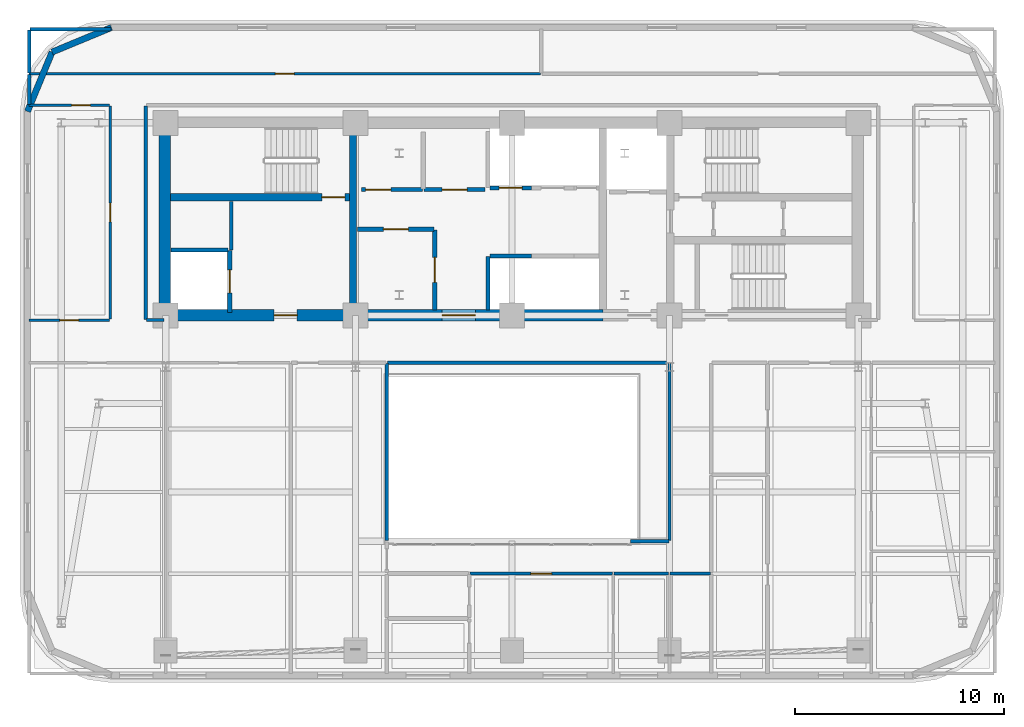
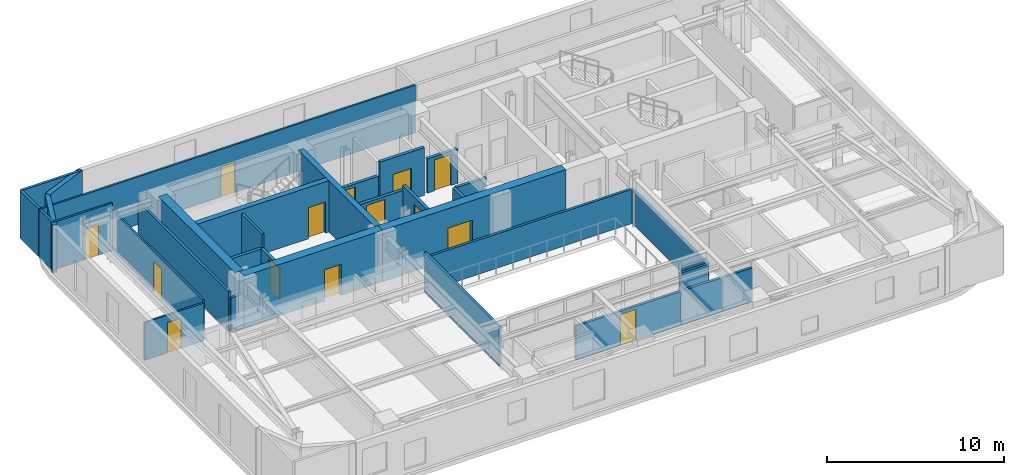
# One storey, part 6 of 12: 33 walls, 14 doors, 14 openings.
"""IFC4 building model written with IfcOpenShell, lengths in metres."""

from ifc_helpers import new_model, si_unit, direction, frame, frame_2d, origin, place, context, subcontext, project, spatial, rectangle, extrude, material, layer, layer_set, type_object, element, fill, save


model = new_model("IFC4")

# Units and contexts
model_context = context("Model", 3, precision=1e-05, world=origin(), true_north=direction((0.0, 1.0)))
body_context = subcontext(model_context, "Body", "Model", "MODEL_VIEW")
ifc_project = project(units=[si_unit("LENGTHUNIT", "METRE"), si_unit("AREAUNIT", "SQUARE_METRE"), si_unit("VOLUMEUNIT", "CUBIC_METRE"), si_unit("PLANEANGLEUNIT", "RADIAN"), si_unit("MASSUNIT", "GRAM", prefix="KILO")], contexts=[model_context])

# Site, building, storey
site_placement = place(None, origin())
site = spatial("IfcSite", under=ifc_project, at=site_placement, CompositionType="ELEMENT")
building_placement = place(site_placement, origin())
building = spatial("IfcBuilding", under=site, at=building_placement, Name="Zarnavel Station Tower", CompositionType="ELEMENT")
storey_placement = place(building_placement, frame((0.0, 0.0, 159.0)))
storey = spatial("IfcBuildingStorey", under=building, at=storey_placement, Name="L43", CompositionType="ELEMENT", Elevation=159.0)

# Wall
ifc_material_1 = material(Name="Concrete C50/60", Category="concrete")
ifc_layer_1 = layer(ifc_material_1, 0.35009765625)
ifc_layer_set_1 = layer_set([ifc_layer_1], Name="CW_350")
wall_type_1 = type_object("IfcWallType", Name="CW_350", PredefinedType="SHEAR", material=ifc_layer_set_1)
wall_1_placement = place(storey_placement, frame((21.179931640625, 28.094970703125, 0.0), z_axis=(0.0, 0.0, 1.0), x_axis=(0.0, 1.0, 0.0)))
element("IfcWall", 1, at=wall_1_placement, inside=storey, type_object=wall_type_1, Name="L43 Rear Core Shear Wall DIV-W", PredefinedType="SHEAR", context=body_context, shape_type="SweptSolid", body=[
    extrude(rectangle(XDim=8.679931640625, YDim=0.35009765625, at=frame_2d((4.33984375, 0.0))), origin(), (0.0, 0.0, 1.0), 3.550048828125),
])

# Wall, opening, door
wall_2_placement = place(storey_placement, frame((21.0048828125, 33.47998046875, 0.0), z_axis=(0.0, 0.0, 1.0), x_axis=(-1.0, 0.0, 0.0)))
wall_2 = element("IfcWall", 2, at=wall_2_placement, inside=storey, type_object=wall_type_1, Name="L43 Rear Core Shear Wall DIV-H1", PredefinedType="SHEAR", context=body_context, shape_type="SweptSolid", body=[
    extrude(rectangle(XDim=8.579833984375, YDim=0.35009765625, at=frame_2d((4.2900390625, 0.0))), origin(), (0.0, 0.0, 1.0), 3.550048828125),
])
opening_1_placement = place(wall_2_placement, frame((0.219970703125, 0.0, 0.0)))
opening_1 = element("IfcOpeningElement", 3, at=opening_1_placement, cuts=wall_2, Name="Opening FD01", PredefinedType="OPENING", context=body_context, shape_type="SweptSolid", body=[
    extrude(rectangle(XDim=1.10009765625, YDim=2.14990234375, at=frame_2d((0.550048828125, 1.074951171875))), frame((0.0, 0.18505859375, 0.0), z_axis=(0.0, -1.0, 0.0), x_axis=(1.0, 0.0, 0.0)), (0.0, 0.0, 1.0), 0.3701171875),
])
ifc_material_2 = material(Name="Painted Galvanised Steel and Hardwood Leaf", Category="steel")
door_type_1 = type_object("IfcDoorType", Name="ID_STAIR_1100", OperationType="NOTDEFINED", PredefinedType="DOOR", material=ifc_material_2)
door_1_placement = place(opening_1_placement, origin())
door_1 = element("IfcDoor", 4, at=door_1_placement, inside=storey, type_object=door_type_1, Name="L43 Stair ST1 Lobby Fire Door", OperationType="SINGLE_SWING_LEFT", OverallHeight=2.14990234375, OverallWidth=1.10009765625, PredefinedType="DOOR", context=body_context, shape_type="SweptSolid", body=[
    extrude(rectangle(XDim=1.10009765625, YDim=2.14990234375, at=frame_2d((0.550048828125, 1.074951171875))), frame((0.0, 0.02490234375, 0.0), z_axis=(0.0, -1.0, 0.0), x_axis=(1.0, 0.0, 0.0)), (0.0, 0.0, 1.0), 0.050048828125),
])
fill(opening_1, door_1)

ifc_material_3 = material(Name="Concrete C50/60", Category="concrete")
ifc_layer_2 = layer(ifc_material_3, 0.550048828125)
ifc_layer_set_2 = layer_set([ifc_layer_2], Name="CW_550")
wall_type_2 = type_object("IfcWallType", Name="CW_550", PredefinedType="SHEAR", material=ifc_layer_set_2)
wall_3_placement = place(storey_placement, frame((21.179931640625, 27.820068359375, 0.0), z_axis=(0.0, 0.0, 1.0), x_axis=(-1.0, 0.0, 0.0)))
wall_3 = element("IfcWall", 5, at=wall_3_placement, inside=storey, type_object=wall_type_2, Name="L43 Rear Core Shear Wall S-W", PredefinedType="SHEAR", context=body_context, shape_type="SweptSolid", body=[
    extrude(rectangle(XDim=9.030029296875, YDim=0.550048828125, at=frame_2d((4.51513671875, 0.0))), origin(), (0.0, 0.0, 1.0), 3.550048828125),
])
opening_2_placement = place(wall_3_placement, frame((2.679931640625, 0.0, 0.0)))
opening_2 = element("IfcOpeningElement", 6, at=opening_2_placement, cuts=wall_3, Name="Opening FD01", PredefinedType="OPENING", context=body_context, shape_type="SweptSolid", body=[
    extrude(rectangle(XDim=1.10009765625, YDim=2.14990234375, at=frame_2d((0.550048828125, 1.074951171875))), frame((0.0, 0.284912109375, 0.0), z_axis=(0.0, -1.0, 0.0), x_axis=(1.0, 0.0, 0.0)), (0.0, 0.0, 1.0), 0.570068359375),
])
door_2_placement = place(opening_2_placement, origin())
door_2 = element("IfcDoor", 7, at=door_2_placement, inside=storey, type_object=door_type_1, Name="L43 West Firefighting Lobby Door", OperationType="SINGLE_SWING_RIGHT", OverallHeight=2.14990234375, OverallWidth=1.10009765625, PredefinedType="DOOR", context=body_context, shape_type="SweptSolid", body=[
    extrude(rectangle(XDim=1.10009765625, YDim=2.14990234375, at=frame_2d((0.550048828125, 1.074951171875))), frame((0.0, 0.02490234375, 0.0), z_axis=(0.0, -1.0, 0.0), x_axis=(1.0, 0.0, 0.0)), (0.0, 0.0, 1.0), 0.050048828125),
])
fill(opening_2, door_2)

wall_4_placement = place(storey_placement, frame((33.14990234375, 27.820068359375, 0.0), z_axis=(0.0, 0.0, 1.0), x_axis=(-1.0, 0.0, 0.0)))
wall_4 = element("IfcWall", 8, at=wall_4_placement, inside=storey, type_object=wall_type_2, Name="L43 Rear Core Shear Wall S-M", PredefinedType="SHEAR", context=body_context, shape_type="SweptSolid", body=[
    extrude(rectangle(XDim=11.969970703125, YDim=0.550048828125, at=frame_2d((5.98486328125, 0.0))), origin(), (0.0, 0.0, 1.0), 3.550048828125),
])
opening_3_placement = place(wall_4_placement, frame((6.10009765625, 0.0, 0.0)))
opening_3 = element("IfcOpeningElement", 9, at=opening_3_placement, cuts=wall_4, Name="Opening ID03", PredefinedType="OPENING", context=body_context, shape_type="SweptSolid", body=[
    extrude(rectangle(XDim=1.60009765625, YDim=2.199951171875, at=frame_2d((0.800048828125, 1.10009765625))), frame((0.0, 0.284912109375, 0.0), z_axis=(0.0, -1.0, 0.0), x_axis=(1.0, 0.0, 0.0)), (0.0, 0.0, 1.0), 0.570068359375),
])
ifc_material_4 = material(Name="Painted Galvanised Steel and Hardwood Leaf", Category="steel")
door_type_2 = type_object("IfcDoorType", Name="ID_PUBLIC_1600", OperationType="DOUBLE_DOOR_SINGLE_SWING", PredefinedType="DOOR", material=ifc_material_4)
door_3_placement = place(opening_3_placement, origin())
door_3 = element("IfcDoor", 10, at=door_3_placement, inside=storey, type_object=door_type_2, Name="L43 Passenger Lift Lobby Double Door", OperationType="SINGLE_SWING_LEFT", OverallHeight=2.199951171875, OverallWidth=1.60009765625, PredefinedType="DOOR", context=body_context, shape_type="SweptSolid", body=[
    extrude(rectangle(XDim=1.60009765625, YDim=2.199951171875, at=frame_2d((0.800048828125, 1.10009765625))), frame((0.0, 0.02490234375, 0.0), z_axis=(0.0, -1.0, 0.0), x_axis=(1.0, 0.0, 0.0)), (0.0, 0.0, 1.0), 0.050048828125),
])
fill(opening_3, door_3)

# Walls
wall_5_placement = place(storey_placement, frame((12.14990234375, 28.094970703125, 0.0), z_axis=(0.0, 0.0, 1.0), x_axis=(0.0, 1.0, 0.0)))
element("IfcWall", 11, at=wall_5_placement, inside=storey, type_object=wall_type_2, Name="L43 Rear Core Shear Wall W", PredefinedType="SHEAR", context=body_context, shape_type="SweptSolid", body=[
    extrude(rectangle(XDim=8.679931640625, YDim=0.550048828125, at=frame_2d((4.33984375, 0.0))), origin(), (0.0, 0.0, 1.0), 3.550048828125),
])
ifc_material_5 = material(Name="Precast concrete C45/55 (Dark Basalt Finish)", Category="masonry")
ifc_layer_3 = layer(ifc_material_5, 0.300048828125)
ifc_layer_set_3 = layer_set([ifc_layer_3], Name="EW_BASALT_300")
wall_type_3 = type_object("IfcWallType", Name="EW_BASALT_300", PredefinedType="SOLIDWALL", material=ifc_layer_set_3)
wall_6_placement = place(storey_placement, frame((6.75732421875, 40.442626953125, 0.0), z_axis=(0.0, 0.0, 1.0), x_axis=(0.923882414032, 0.382676475685, 0.0)))
element("IfcWall", 12, at=wall_6_placement, inside=storey, type_object=wall_type_3, Name="L43 Exterior Basalt Masonry Frame Wall 07", PredefinedType="SOLIDWALL", context=body_context, shape_type="SweptSolid", body=[
    extrude(rectangle(XDim=3.076904296875, YDim=0.300048828125, at=frame_2d((1.53857421875, 0.0))), origin(), (0.0, 0.0, 1.0), 3.2900390625),
])
wall_7_placement = place(storey_placement, frame((5.580078125, 37.60009765625, 0.0), z_axis=(0.0, 0.0, 1.0), x_axis=(0.382636798336, 0.92389884758, 0.0)))
element("IfcWall", 13, at=wall_7_placement, inside=storey, type_object=wall_type_3, Name="L43 Exterior Basalt Masonry Frame Wall 08", PredefinedType="SOLIDWALL", context=body_context, shape_type="SweptSolid", body=[
    extrude(rectangle(XDim=3.07666015625, YDim=0.300048828125, at=frame_2d((1.538330078125, 0.0))), origin(), (0.0, 0.0, 1.0), 3.2900390625),
])

# Wall, opening, door
ifc_material_6 = material(Name="Gypsum Twin-Stud Acoustic Fire Partition", Category="concrete")
ifc_layer_4 = layer(ifc_material_6, 0.159912109375)
ifc_layer_set_4 = layer_set([ifc_layer_4], Name="PT_DEMISE_160")
wall_type_4 = type_object("IfcWallType", Name="PT_DEMISE_160", PredefinedType="PARTITIONING", material=ifc_layer_set_4)
wall_8_placement = place(storey_placement, frame((26.7900390625, 15.449951171875, 0.0), z_axis=(0.0, 0.0, 1.0), x_axis=(1.0, 0.0, 0.0)))
wall_8 = element("IfcWall", 14, at=wall_8_placement, inside=storey, type_object=wall_type_4, Name="L43 Partition COR-AS-US1LV", PredefinedType="PARTITIONING", context=body_context, shape_type="SweptSolid", body=[
    extrude(rectangle(XDim=6.820068359375, YDim=0.159912109375, at=frame_2d((3.41015625, 0.0))), origin(), (0.0, 0.0, 1.0), 2.360107421875),
])
opening_4_placement = place(wall_8_placement, frame((2.909912109375, 0.0, 0.0)))
opening_4 = element("IfcOpeningElement", 15, at=opening_4_placement, cuts=wall_8, Name="Opening FD02", PredefinedType="OPENING", context=body_context, shape_type="SweptSolid", body=[
    extrude(rectangle(XDim=1.0, YDim=2.14990234375, at=frame_2d((0.5, 1.074951171875))), frame((0.0, 0.08984375, 0.0), z_axis=(0.0, -1.0, 0.0), x_axis=(1.0, 0.0, 0.0)), (0.0, 0.0, 1.0), 0.179931640625),
])
ifc_material_7 = material(Name="Painted Galvanised Steel and Hardwood Leaf", Category="steel")
door_type_3 = type_object("IfcDoorType", Name="ID_ENTRY_1000", OperationType="NOTDEFINED", PredefinedType="DOOR", material=ifc_material_7)
door_4_placement = place(opening_4_placement, origin())
door_4 = element("IfcDoor", 16, at=door_4_placement, inside=storey, type_object=door_type_3, Name="L43 Door COR-AS-US1LV", OperationType="SINGLE_SWING_LEFT", OverallHeight=2.14990234375, OverallWidth=1.0, PredefinedType="DOOR", context=body_context, shape_type="SweptSolid", body=[
    extrude(rectangle(XDim=1.0, YDim=2.14990234375, at=frame_2d((0.5, 1.074951171875))), frame((0.0, 0.02490234375, 0.0), z_axis=(0.0, -1.0, 0.0), x_axis=(1.0, 0.0, 0.0)), (0.0, 0.0, 1.0), 0.050048828125),
])
fill(opening_4, door_4)

# Walls
wall_9_placement = place(storey_placement, frame((33.68994140625, 15.449951171875, 0.0), z_axis=(0.0, 0.0, 1.0), x_axis=(1.0, 0.0, 0.0)))
element("IfcWall", 17, at=wall_9_placement, inside=storey, type_object=wall_type_4, Name="L43 Partition COR-AS-US1B1", PredefinedType="PARTITIONING", context=body_context, shape_type="SweptSolid", body=[
    extrude(rectangle(XDim=2.6201171875, YDim=0.159912109375, at=frame_2d((1.31005859375, 0.0))), origin(), (0.0, 0.0, 1.0), 2.360107421875),
])
wall_10_placement = place(storey_placement, frame((15.35009765625, 30.9599609375, 0.0), z_axis=(0.0, 0.0, 1.0), x_axis=(0.0, 1.0, 0.0)))
element("IfcWall", 18, at=wall_10_placement, inside=storey, type_object=wall_type_4, Name="L43 Enclosure Wall FFL1", PredefinedType="PARTITIONING", context=body_context, shape_type="SweptSolid", body=[
    extrude(rectangle(XDim=2.31005859375, YDim=0.159912109375, at=frame_2d((1.155029296875, 0.0))), origin(), (0.0, 0.0, 1.0), 3.2900390625),
])
wall_11_placement = place(storey_placement, frame((22.830078125, 25.550048828125, 0.0), z_axis=(0.0, 0.0, 1.0), x_axis=(1.0, 0.0, 0.0)))
element("IfcWall", 19, at=wall_11_placement, inside=storey, type_object=wall_type_4, Name="L43 Enclosure Wall COR-S", PredefinedType="PARTITIONING", context=body_context, shape_type="SweptSolid", body=[
    extrude(rectangle(XDim=13.489990234375, YDim=0.159912109375, at=frame_2d((6.7451171875, 0.0))), origin(), (0.0, 0.0, 1.0), 2.360107421875),
])
wall_12_placement = place(storey_placement, frame((11.280029296875, 27.60009765625, 0.0), z_axis=(0.0, 0.0, 1.0), x_axis=(1.0, 0.0, 0.0)))
element("IfcWall", 20, at=wall_12_placement, inside=storey, type_object=wall_type_4, Name="L43 Enclosure Wall COR-S", PredefinedType="PARTITIONING", context=body_context, shape_type="SweptSolid", body=[
    extrude(rectangle(XDim=0.840087890625, YDim=0.159912109375, at=frame_2d((0.419921875, 0.0))), origin(), (0.0, 0.0, 1.0), 2.360107421875),
])
wall_13_placement = place(storey_placement, frame((11.25, 27.6298828125, 0.0), z_axis=(0.0, 0.0, 1.0), x_axis=(0.0, 1.0, 0.0)))
element("IfcWall", 21, at=wall_13_placement, inside=storey, type_object=wall_type_4, Name="L43 Enclosure Wall COR-W", PredefinedType="PARTITIONING", context=body_context, shape_type="SweptSolid", body=[
    extrude(rectangle(XDim=10.240234375, YDim=0.159912109375, at=frame_2d((5.1201171875, 0.0))), origin(), (0.0, 0.0, 1.0), 2.77001953125),
])
wall_14_placement = place(storey_placement, frame((5.659912109375, 37.929931640625, 0.0), z_axis=(0.0, 0.0, 1.0), x_axis=(0.0, 1.0, 0.0)))
element("IfcWall", 22, at=wall_14_placement, inside=storey, type_object=wall_type_4, Name="L43 Enclosure Wall COR-N", PredefinedType="PARTITIONING", context=body_context, shape_type="SweptSolid", body=[
    extrude(rectangle(XDim=1.440185546875, YDim=0.159912109375, at=frame_2d((0.72021484375, 0.0))), origin(), (0.0, 0.0, 1.0), 3.2900390625),
])
wall_15_placement = place(storey_placement, frame((36.3798828125, 15.449951171875, 0.0), z_axis=(0.0, 0.0, 1.0), x_axis=(1.0, 0.0, 0.0)))
element("IfcWall", 23, at=wall_15_placement, inside=storey, type_object=wall_type_4, Name="L43 Enclosure Wall COR-AE", PredefinedType="PARTITIONING", context=body_context, shape_type="SweptSolid", body=[
    extrude(rectangle(XDim=1.940185546875, YDim=0.159912109375, at=frame_2d((0.97021484375, 0.0))), origin(), (0.0, 0.0, 1.0), 2.360107421875),
])
wall_16_placement = place(storey_placement, frame((36.35009765625, 17.030029296875, 0.0), z_axis=(0.0, 0.0, 1.0), x_axis=(0.0, 1.0, 0.0)))
element("IfcWall", 24, at=wall_16_placement, inside=storey, type_object=wall_type_4, Name="L43 Enclosure Wall COR-AE", PredefinedType="PARTITIONING", context=body_context, shape_type="SweptSolid", body=[
    extrude(rectangle(XDim=8.489990234375, YDim=0.159912109375, at=frame_2d((4.2451171875, 0.0))), origin(), (0.0, 0.0, 1.0), 2.360107421875),
])
wall_17_placement = place(storey_placement, frame((34.47998046875, 17.0, 0.0), z_axis=(0.0, 0.0, 1.0), x_axis=(1.0, 0.0, 0.0)))
element("IfcWall", 25, at=wall_17_placement, inside=storey, type_object=wall_type_4, Name="L43 Enclosure Wall COR-AS", PredefinedType="PARTITIONING", context=body_context, shape_type="SweptSolid", body=[
    extrude(rectangle(XDim=1.840087890625, YDim=0.159912109375, at=frame_2d((0.919921875, 0.0))), origin(), (0.0, 0.0, 1.0), 2.360107421875),
])
wall_18_placement = place(storey_placement, frame((5.68994140625, 41.5400390625, 0.0), z_axis=(0.0, 0.0, 1.0), x_axis=(1.0, 0.0, 0.0)))
element("IfcWall", 26, at=wall_18_placement, inside=storey, type_object=wall_type_4, Name="L43 Enclosure Wall NLOU", PredefinedType="PARTITIONING", context=body_context, shape_type="SweptSolid", body=[
    extrude(rectangle(XDim=3.880126953125, YDim=0.159912109375, at=frame_2d((1.93994140625, 0.0))), origin(), (0.0, 0.0, 1.0), 3.2900390625),
])
wall_19_placement = place(storey_placement, frame((5.659912109375, 39.429931640625, 0.0), z_axis=(0.0, 0.0, 1.0), x_axis=(0.0, 1.0, 0.0)))
element("IfcWall", 27, at=wall_19_placement, inside=storey, type_object=wall_type_4, Name="L43 Enclosure Wall NLOU", PredefinedType="PARTITIONING", context=body_context, shape_type="SweptSolid", body=[
    extrude(rectangle(XDim=2.080078125, YDim=0.159912109375, at=frame_2d((1.0400390625, 0.0))), origin(), (0.0, 0.0, 1.0), 3.2900390625),
])
wall_20_placement = place(storey_placement, frame((22.800048828125, 17.030029296875, 0.0), z_axis=(0.0, 0.0, 1.0), x_axis=(0.0, 1.0, 0.0)))
element("IfcWall", 28, at=wall_20_placement, inside=storey, type_object=wall_type_4, Name="L43 Enclosure Wall L43KIT", PredefinedType="PARTITIONING", context=body_context, shape_type="SweptSolid", body=[
    extrude(rectangle(XDim=8.489990234375, YDim=0.159912109375, at=frame_2d((4.2451171875, 0.0))), origin(), (0.0, 0.0, 1.0), 2.72998046875),
])

# Wall, opening, door
ifc_material_8 = material(Name="Gypsum Metal-Stud Interior Partition", Category="concrete")
ifc_layer_5 = layer(ifc_material_8, 0.1201171875)
ifc_layer_set_5 = layer_set([ifc_layer_5], Name="PT_ROOM_120")
wall_type_5 = type_object("IfcWallType", Name="PT_ROOM_120", PredefinedType="PARTITIONING", material=ifc_layer_set_5)
wall_21_placement = place(storey_placement, frame((5.659912109375, 27.60009765625, 0.0), z_axis=(0.0, 0.0, 1.0), x_axis=(1.0, 0.0, 0.0)))
wall_21 = element("IfcWall", 29, at=wall_21_placement, inside=storey, type_object=wall_type_5, Name="L43 Partition COR-S-FNW", PredefinedType="PARTITIONING", context=body_context, shape_type="SweptSolid", body=[
    extrude(rectangle(XDim=3.85009765625, YDim=0.1201171875, at=frame_2d((1.925048828125, 0.0))), origin(), (0.0, 0.0, 1.0), 2.6201171875),
])
opening_5_placement = place(wall_21_placement, frame((1.47509765625, 0.0, 0.0)))
opening_5 = element("IfcOpeningElement", 30, at=opening_5_placement, cuts=wall_21, Name="Opening ID01", PredefinedType="OPENING", context=body_context, shape_type="SweptSolid", body=[
    extrude(rectangle(XDim=0.89990234375, YDim=2.10009765625, at=frame_2d((0.449951171875, 1.050048828125))), frame((0.0, 0.070068359375, 0.0), z_axis=(0.0, -1.0, 0.0), x_axis=(1.0, 0.0, 0.0)), (0.0, 0.0, 1.0), 0.14013671875),
])
ifc_material_9 = material(Name="Painted Galvanised Steel and Hardwood Leaf", Category="steel")
door_type_4 = type_object("IfcDoorType", Name="ID_ROOM_900", OperationType="NOTDEFINED", PredefinedType="DOOR", material=ifc_material_9)
door_5_placement = place(opening_5_placement, origin())
door_5 = element("IfcDoor", 31, at=door_5_placement, inside=storey, type_object=door_type_4, Name="L43 Door COR-S-FNW", OperationType="SINGLE_SWING_RIGHT", OverallHeight=2.10009765625, OverallWidth=0.89990234375, PredefinedType="DOOR", context=body_context, shape_type="SweptSolid", body=[
    extrude(rectangle(XDim=0.89990234375, YDim=2.10009765625, at=frame_2d((0.449951171875, 1.050048828125))), frame((0.0, 0.02490234375, 0.0), z_axis=(0.0, -1.0, 0.0), x_axis=(1.0, 0.0, 0.0)), (0.0, 0.0, 1.0), 0.050048828125),
])
fill(opening_5, door_5)

wall_22_placement = place(storey_placement, frame((9.550048828125, 27.639892578125, 0.0), z_axis=(0.0, 0.0, 1.0), x_axis=(0.0, 1.0, 0.0)))
wall_22 = element("IfcWall", 32, at=wall_22_placement, inside=storey, type_object=wall_type_5, Name="L43 Partition COR-W-FNW", PredefinedType="PARTITIONING", context=body_context, shape_type="SweptSolid", body=[
    extrude(rectangle(XDim=10.22021484375, YDim=0.1201171875, at=frame_2d((5.110107421875, 0.0))), origin(), (0.0, 0.0, 1.0), 2.77001953125),
])
opening_6_placement = place(wall_22_placement, frame((4.659912109375, 0.0, 0.0)))
opening_6 = element("IfcOpeningElement", 33, at=opening_6_placement, cuts=wall_22, Name="Opening ID01", PredefinedType="OPENING", context=body_context, shape_type="SweptSolid", body=[
    extrude(rectangle(XDim=0.89990234375, YDim=2.10009765625, at=frame_2d((0.449951171875, 1.050048828125))), frame((0.0, 0.070068359375, 0.0), z_axis=(0.0, -1.0, 0.0), x_axis=(1.0, 0.0, 0.0)), (0.0, 0.0, 1.0), 0.14013671875),
])
door_6_placement = place(opening_6_placement, origin())
door_6 = element("IfcDoor", 34, at=door_6_placement, inside=storey, type_object=door_type_4, Name="L43 Door COR-W-FNW", OperationType="SINGLE_SWING_RIGHT", OverallHeight=2.10009765625, OverallWidth=0.89990234375, PredefinedType="DOOR", context=body_context, shape_type="SweptSolid", body=[
    extrude(rectangle(XDim=0.89990234375, YDim=2.10009765625, at=frame_2d((0.449951171875, 1.050048828125))), frame((0.0, 0.02490234375, 0.0), z_axis=(0.0, -1.0, 0.0), x_axis=(1.0, 0.0, 0.0)), (0.0, 0.0, 1.0), 0.050048828125),
])
fill(opening_6, door_6)

wall_23_placement = place(storey_placement, frame((5.659912109375, 37.89990234375, 0.0), z_axis=(0.0, 0.0, 1.0), x_axis=(1.0, 0.0, 0.0)))
wall_23 = element("IfcWall", 35, at=wall_23_placement, inside=storey, type_object=wall_type_5, Name="L43 Partition COR-N-FNW", PredefinedType="PARTITIONING", context=body_context, shape_type="SweptSolid", body=[
    extrude(rectangle(XDim=3.85009765625, YDim=0.1201171875, at=frame_2d((1.925048828125, 0.0))), origin(), (0.0, 0.0, 1.0), 3.2900390625),
])
opening_7_placement = place(wall_23_placement, frame((2.03125, 0.0, 0.0)))
opening_7 = element("IfcOpeningElement", 36, at=opening_7_placement, cuts=wall_23, Name="Opening ID01", PredefinedType="OPENING", context=body_context, shape_type="SweptSolid", body=[
    extrude(rectangle(XDim=0.89990234375, YDim=2.10009765625, at=frame_2d((0.449951171875, 1.050048828125))), frame((0.0, 0.070068359375, 0.0), z_axis=(0.0, -1.0, 0.0), x_axis=(1.0, 0.0, 0.0)), (0.0, 0.0, 1.0), 0.14013671875),
])
door_7_placement = place(opening_7_placement, origin())
door_7 = element("IfcDoor", 37, at=door_7_placement, inside=storey, type_object=door_type_4, Name="L43 Door COR-N-FNW", OperationType="SINGLE_SWING_RIGHT", OverallHeight=2.10009765625, OverallWidth=0.89990234375, PredefinedType="DOOR", context=body_context, shape_type="SweptSolid", body=[
    extrude(rectangle(XDim=0.89990234375, YDim=2.10009765625, at=frame_2d((0.449951171875, 1.050048828125))), frame((0.0, 0.02490234375, 0.0), z_axis=(0.0, -1.0, 0.0), x_axis=(1.0, 0.0, 0.0)), (0.0, 0.0, 1.0), 0.050048828125),
])
fill(opening_7, door_7)

wall_24_placement = place(storey_placement, frame((5.659912109375, 39.39990234375, 0.0), z_axis=(0.0, 0.0, 1.0), x_axis=(1.0, 0.0, 0.0)))
wall_24 = element("IfcWall", 38, at=wall_24_placement, inside=storey, type_object=wall_type_5, Name="L43 Partition COR-N-NLOU", PredefinedType="PARTITIONING", context=body_context, shape_type="SweptSolid", body=[
    extrude(rectangle(XDim=24.5, YDim=0.1201171875, at=frame_2d((12.25, 0.0))), origin(), (0.0, 0.0, 1.0), 3.2900390625),
])
opening_8_placement = place(wall_24_placement, frame((11.800048828125, 0.0, 0.0)))
opening_8 = element("IfcOpeningElement", 39, at=opening_8_placement, cuts=wall_24, Name="Opening ID01", PredefinedType="OPENING", context=body_context, shape_type="SweptSolid", body=[
    extrude(rectangle(XDim=0.89990234375, YDim=2.10009765625, at=frame_2d((0.449951171875, 1.050048828125))), frame((0.0, 0.070068359375, 0.0), z_axis=(0.0, -1.0, 0.0), x_axis=(1.0, 0.0, 0.0)), (0.0, 0.0, 1.0), 0.14013671875),
])
door_8_placement = place(opening_8_placement, origin())
door_8 = element("IfcDoor", 40, at=door_8_placement, inside=storey, type_object=door_type_4, Name="L43 Door COR-N-NLOU", OperationType="SINGLE_SWING_RIGHT", OverallHeight=2.10009765625, OverallWidth=0.89990234375, PredefinedType="DOOR", context=body_context, shape_type="SweptSolid", body=[
    extrude(rectangle(XDim=0.89990234375, YDim=2.10009765625, at=frame_2d((0.449951171875, 1.050048828125))), frame((0.0, 0.02490234375, 0.0), z_axis=(0.0, -1.0, 0.0), x_axis=(1.0, 0.0, 0.0)), (0.0, 0.0, 1.0), 0.050048828125),
])
fill(opening_8, door_8)

ifc_material_10 = material(Name="Precast concrete C45/55 (Fire Shaft Blockwork)", Category="masonry")
ifc_layer_6 = layer(ifc_material_10, 0.199951171875)
ifc_layer_set_6 = layer_set([ifc_layer_6], Name="PT_SHAFT_200")
wall_type_6 = type_object("IfcWallType", Name="PT_SHAFT_200", PredefinedType="PARTITIONING", material=ifc_layer_set_6)
wall_25_placement = place(storey_placement, frame((15.27001953125, 27.969970703125, 0.0), z_axis=(0.0, 0.0, 1.0), x_axis=(0.0, 1.0, 0.0)))
wall_25 = element("IfcWall", 41, at=wall_25_placement, inside=storey, type_object=wall_type_6, Name="L43 Lift FFL-01 Shaft Front Wall", PredefinedType="PARTITIONING", context=body_context, shape_type="SweptSolid", body=[
    extrude(rectangle(XDim=2.9599609375, YDim=0.199951171875, at=frame_2d((1.47998046875, 0.0))), origin(), (0.0, 0.0, 1.0), 2.360107421875),
])
opening_9_placement = place(wall_25_placement, frame((0.929931640625, 0.0, 0.0)))
opening_9 = element("IfcOpeningElement", 42, at=opening_9_placement, cuts=wall_25, Name="Opening LD01", PredefinedType="OPENING", context=body_context, shape_type="SweptSolid", body=[
    extrude(rectangle(XDim=1.10009765625, YDim=2.14990234375, at=frame_2d((0.550048828125, 1.074951171875))), frame((0.0, 0.10986328125, 0.0), z_axis=(0.0, -1.0, 0.0), x_axis=(1.0, 0.0, 0.0)), (0.0, 0.0, 1.0), 0.219970703125),
])
ifc_material_11 = material(Name="Painted Galvanised Steel and Hardwood Leaf", Category="steel")
door_type_5 = type_object("IfcDoorType", Name="LD_FF_1100", OperationType="DOUBLE_DOOR_SLIDING", PredefinedType="DOOR", material=ifc_material_11)
door_9_placement = place(opening_9_placement, origin())
door_9 = element("IfcDoor", 43, at=door_9_placement, inside=storey, type_object=door_type_5, Name="L43 Lift FFL-01 Sliding Landing Door", OperationType="DOUBLE_DOOR_SLIDING", OverallHeight=2.14990234375, OverallWidth=1.10009765625, PredefinedType="DOOR", context=body_context, shape_type="SweptSolid", body=[
    extrude(rectangle(XDim=1.10009765625, YDim=2.14990234375, at=frame_2d((0.550048828125, 1.074951171875))), frame((0.0, 0.02490234375, 0.0), z_axis=(0.0, -1.0, 0.0), x_axis=(1.0, 0.0, 0.0)), (0.0, 0.0, 1.0), 0.050048828125),
])
fill(opening_9, door_9)

# Walls
wall_26_placement = place(storey_placement, frame((12.449951171875, 30.949951171875, 0.0), z_axis=(0.0, 0.0, 1.0), x_axis=(1.0, 0.0, 0.0)))
element("IfcWall", 44, at=wall_26_placement, inside=storey, type_object=wall_type_6, Name="L43 Lift FFL-01 North Shaft Wall", PredefinedType="PARTITIONING", context=body_context, shape_type="SweptSolid", body=[
    extrude(rectangle(XDim=2.75, YDim=0.199951171875, at=frame_2d((1.375, 0.0))), origin(), (0.0, 0.0, 1.0), 2.360107421875),
])
wall_27_placement = place(storey_placement, frame((27.75, 30.669921875, 0.0), z_axis=(0.0, 0.0, 1.0), x_axis=(1.0, 0.0, 0.0)))
element("IfcWall", 45, at=wall_27_placement, inside=storey, type_object=wall_type_6, Name="L43 Lift PL-H1 Shaft Front Wall", PredefinedType="PARTITIONING", context=body_context, shape_type="SweptSolid", body=[
    extrude(rectangle(XDim=1.97509765625, YDim=0.199951171875, at=frame_2d((0.987548828125, 0.0))), origin(), (0.0, 0.0, 1.0), 2.360107421875),
])
wall_28_placement = place(storey_placement, frame((27.64990234375, 28.070068359375, 0.0), z_axis=(0.0, 0.0, 1.0), x_axis=(0.0, 1.0, 0.0)))
element("IfcWall", 46, at=wall_28_placement, inside=storey, type_object=wall_type_6, Name="L43 High-Rise Lift Bank West Shaft Wall", PredefinedType="PARTITIONING", context=body_context, shape_type="SweptSolid", body=[
    extrude(rectangle(XDim=2.579833984375, YDim=0.199951171875, at=frame_2d((1.2900390625, 0.0))), origin(), (0.0, 0.0, 1.0), 2.360107421875),
])

# Wall, opening, door
wall_29_placement = place(storey_placement, frame((27.75, 33.929931640625, 0.0), z_axis=(0.0, 0.0, 1.0), x_axis=(1.0, 0.0, 0.0)))
wall_29 = element("IfcWall", 47, at=wall_29_placement, inside=storey, type_object=wall_type_6, Name="L43 Lift PL-M1 Shaft Front Wall", PredefinedType="PARTITIONING", context=body_context, shape_type="SweptSolid", body=[
    extrude(rectangle(XDim=1.97509765625, YDim=0.199951171875, at=frame_2d((0.987548828125, 0.0))), origin(), (0.0, 0.0, 1.0), 2.360107421875),
])
opening_10_placement = place(wall_29_placement, frame((0.4375, 0.0, 0.0)))
opening_10 = element("IfcOpeningElement", 48, at=opening_10_placement, cuts=wall_29, Name="Opening LD02", PredefinedType="OPENING", context=body_context, shape_type="SweptSolid", body=[
    extrude(rectangle(XDim=1.10009765625, YDim=2.14990234375, at=frame_2d((0.550048828125, 1.074951171875))), frame((0.0, 0.10986328125, 0.0), z_axis=(0.0, -1.0, 0.0), x_axis=(1.0, 0.0, 0.0)), (0.0, 0.0, 1.0), 0.219970703125),
])
ifc_material_12 = material(Name="Painted Galvanised Steel and Hardwood Leaf", Category="steel")
door_type_6 = type_object("IfcDoorType", Name="LD_PAX_1100", OperationType="DOUBLE_DOOR_SLIDING", PredefinedType="DOOR", material=ifc_material_12)
door_10_placement = place(opening_10_placement, origin())
door_10 = element("IfcDoor", 49, at=door_10_placement, inside=storey, type_object=door_type_6, Name="L43 Lift PL-M1 Sliding Landing Door", OperationType="DOUBLE_DOOR_SLIDING", OverallHeight=2.14990234375, OverallWidth=1.10009765625, PredefinedType="DOOR", context=body_context, shape_type="SweptSolid", body=[
    extrude(rectangle(XDim=1.10009765625, YDim=2.14990234375, at=frame_2d((0.550048828125, 1.074951171875))), frame((0.0, 0.02490234375, 0.0), z_axis=(0.0, -1.0, 0.0), x_axis=(1.0, 0.0, 0.0)), (0.0, 0.0, 1.0), 0.050048828125),
])
fill(opening_10, door_10)

wall_30_placement = place(storey_placement, frame((21.39990234375, 31.949951171875, 0.0), z_axis=(0.0, 0.0, 1.0), x_axis=(1.0, 0.0, 0.0)))
wall_30 = element("IfcWall", 50, at=wall_30_placement, inside=storey, type_object=wall_type_6, Name="L43 Partition LLOB-CS1", PredefinedType="PARTITIONING", context=body_context, shape_type="SweptSolid", body=[
    extrude(rectangle(XDim=3.66015625, YDim=0.199951171875, at=frame_2d((1.830078125, 0.0))), origin(), (0.0, 0.0, 1.0), 2.360107421875),
])
opening_11_placement = place(wall_30_placement, frame((1.22998046875, 0.0, 0.0)))
opening_11 = element("IfcOpeningElement", 51, at=opening_11_placement, cuts=wall_30, Name="Opening FD03", PredefinedType="OPENING", context=body_context, shape_type="SweptSolid", body=[
    extrude(rectangle(XDim=1.199951171875, YDim=2.14990234375, at=frame_2d((0.60009765625, 1.074951171875))), frame((0.0, 0.10986328125, 0.0), z_axis=(0.0, -1.0, 0.0), x_axis=(1.0, 0.0, 0.0)), (0.0, 0.0, 1.0), 0.219970703125),
])
ifc_material_13 = material(Name="Painted Galvanised Steel and Hardwood Leaf", Category="steel")
door_type_7 = type_object("IfcDoorType", Name="ID_PLANT_1200", OperationType="NOTDEFINED", PredefinedType="DOOR", material=ifc_material_13)
door_11_placement = place(opening_11_placement, origin())
door_11 = element("IfcDoor", 52, at=door_11_placement, inside=storey, type_object=door_type_7, Name="L43 Door LLOB-CS1", OperationType="SINGLE_SWING_RIGHT", OverallHeight=2.14990234375, OverallWidth=1.199951171875, PredefinedType="DOOR", context=body_context, shape_type="SweptSolid", body=[
    extrude(rectangle(XDim=1.199951171875, YDim=2.14990234375, at=frame_2d((0.60009765625, 1.074951171875))), frame((0.0, 0.02490234375, 0.0), z_axis=(0.0, -1.0, 0.0), x_axis=(1.0, 0.0, 0.0)), (0.0, 0.0, 1.0), 0.050048828125),
])
fill(opening_11, door_11)

wall_31_placement = place(storey_placement, frame((21.590087890625, 33.85009765625, 0.0), z_axis=(0.0, 0.0, 1.0), x_axis=(1.0, 0.0, 0.0)))
wall_31 = element("IfcWall", 53, at=wall_31_placement, inside=storey, type_object=wall_type_6, Name="L43 Partition LLOB-FB1A", PredefinedType="PARTITIONING", context=body_context, shape_type="SweptSolid", body=[
    extrude(rectangle(XDim=2.919921875, YDim=0.199951171875, at=frame_2d((1.4599609375, 0.0))), origin(), (0.0, 0.0, 1.0), 2.360107421875),
])
opening_12_placement = place(wall_31_placement, frame((0.199951171875, 0.0, 0.0)))
opening_12 = element("IfcOpeningElement", 54, at=opening_12_placement, cuts=wall_31, Name="Opening FD03", PredefinedType="OPENING", context=body_context, shape_type="SweptSolid", body=[
    extrude(rectangle(XDim=1.199951171875, YDim=2.14990234375, at=frame_2d((0.60009765625, 1.074951171875))), frame((0.0, 0.10986328125, 0.0), z_axis=(0.0, -1.0, 0.0), x_axis=(1.0, 0.0, 0.0)), (0.0, 0.0, 1.0), 0.219970703125),
])
door_12_placement = place(opening_12_placement, origin())
door_12 = element("IfcDoor", 55, at=door_12_placement, inside=storey, type_object=door_type_7, Name="L43 Door LLOB-FB1A", OperationType="SINGLE_SWING_LEFT", OverallHeight=2.14990234375, OverallWidth=1.199951171875, PredefinedType="DOOR", context=body_context, shape_type="SweptSolid", body=[
    extrude(rectangle(XDim=1.199951171875, YDim=2.14990234375, at=frame_2d((0.60009765625, 1.074951171875))), frame((0.0, 0.02490234375, 0.0), z_axis=(0.0, -1.0, 0.0), x_axis=(1.0, 0.0, 0.0)), (0.0, 0.0, 1.0), 0.050048828125),
])
fill(opening_12, door_12)

wall_32_placement = place(storey_placement, frame((24.590087890625, 33.85009765625, 0.0), z_axis=(0.0, 0.0, 1.0), x_axis=(1.0, 0.0, 0.0)))
wall_32 = element("IfcWall", 56, at=wall_32_placement, inside=storey, type_object=wall_type_6, Name="L43 Partition LLOB-FB1B", PredefinedType="PARTITIONING", context=body_context, shape_type="SweptSolid", body=[
    extrude(rectangle(XDim=2.919921875, YDim=0.199951171875, at=frame_2d((1.4599609375, 0.0))), origin(), (0.0, 0.0, 1.0), 3.2900390625),
])
opening_13_placement = place(wall_32_placement, frame((0.860107421875, 0.0, 0.0)))
opening_13 = element("IfcOpeningElement", 57, at=opening_13_placement, cuts=wall_32, Name="Opening FD03", PredefinedType="OPENING", context=body_context, shape_type="SweptSolid", body=[
    extrude(rectangle(XDim=1.199951171875, YDim=2.14990234375, at=frame_2d((0.60009765625, 1.074951171875))), frame((0.0, 0.10986328125, 0.0), z_axis=(0.0, -1.0, 0.0), x_axis=(1.0, 0.0, 0.0)), (0.0, 0.0, 1.0), 0.219970703125),
])
door_13_placement = place(opening_13_placement, origin())
door_13 = element("IfcDoor", 58, at=door_13_placement, inside=storey, type_object=door_type_7, Name="L43 Door LLOB-FB1B", OperationType="SINGLE_SWING_RIGHT", OverallHeight=2.14990234375, OverallWidth=1.199951171875, PredefinedType="DOOR", context=body_context, shape_type="SweptSolid", body=[
    extrude(rectangle(XDim=1.199951171875, YDim=2.14990234375, at=frame_2d((0.60009765625, 1.074951171875))), frame((0.0, 0.02490234375, 0.0), z_axis=(0.0, -1.0, 0.0), x_axis=(1.0, 0.0, 0.0)), (0.0, 0.0, 1.0), 0.050048828125),
])
fill(opening_13, door_13)

wall_33_placement = place(storey_placement, frame((25.10009765625, 28.090087890625, 0.0), z_axis=(0.0, 0.0, 1.0), x_axis=(0.0, 1.0, 0.0)))
wall_33 = element("IfcWall", 59, at=wall_33_placement, inside=storey, type_object=wall_type_6, Name="L43 Partition LLOBS-CS1", PredefinedType="PARTITIONING", context=body_context, shape_type="SweptSolid", body=[
    extrude(rectangle(XDim=3.81982421875, YDim=0.199951171875, at=frame_2d((1.909912109375, 0.0))), origin(), (0.0, 0.0, 1.0), 2.669921875),
])
opening_14_placement = place(wall_33_placement, frame((1.31005859375, 0.0, 0.0)))
opening_14 = element("IfcOpeningElement", 60, at=opening_14_placement, cuts=wall_33, Name="Opening FD03", PredefinedType="OPENING", context=body_context, shape_type="SweptSolid", body=[
    extrude(rectangle(XDim=1.199951171875, YDim=2.14990234375, at=frame_2d((0.60009765625, 1.074951171875))), frame((0.0, 0.10986328125, 0.0), z_axis=(0.0, -1.0, 0.0), x_axis=(1.0, 0.0, 0.0)), (0.0, 0.0, 1.0), 0.219970703125),
])
door_14_placement = place(opening_14_placement, origin())
door_14 = element("IfcDoor", 61, at=door_14_placement, inside=storey, type_object=door_type_7, Name="L43 Door LLOBS-CS1", OperationType="SINGLE_SWING_LEFT", OverallHeight=2.14990234375, OverallWidth=1.199951171875, PredefinedType="DOOR", context=body_context, shape_type="SweptSolid", body=[
    extrude(rectangle(XDim=1.199951171875, YDim=2.14990234375, at=frame_2d((0.60009765625, 1.074951171875))), frame((0.0, 0.02490234375, 0.0), z_axis=(0.0, -1.0, 0.0), x_axis=(1.0, 0.0, 0.0)), (0.0, 0.0, 1.0), 0.050048828125),
])
fill(opening_14, door_14)

save(model, "model.ifc")
